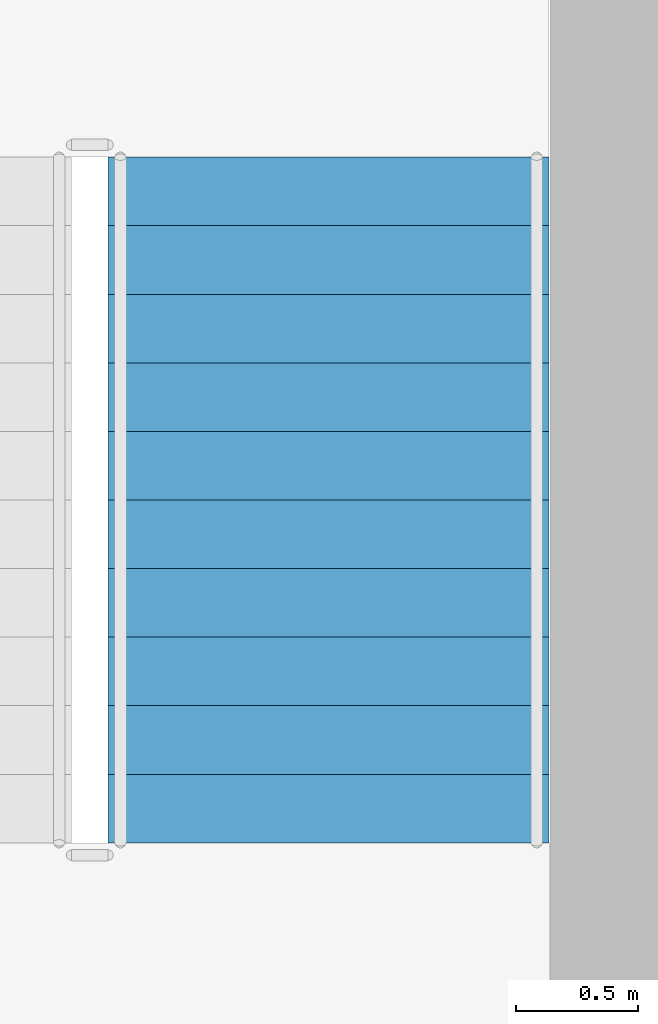
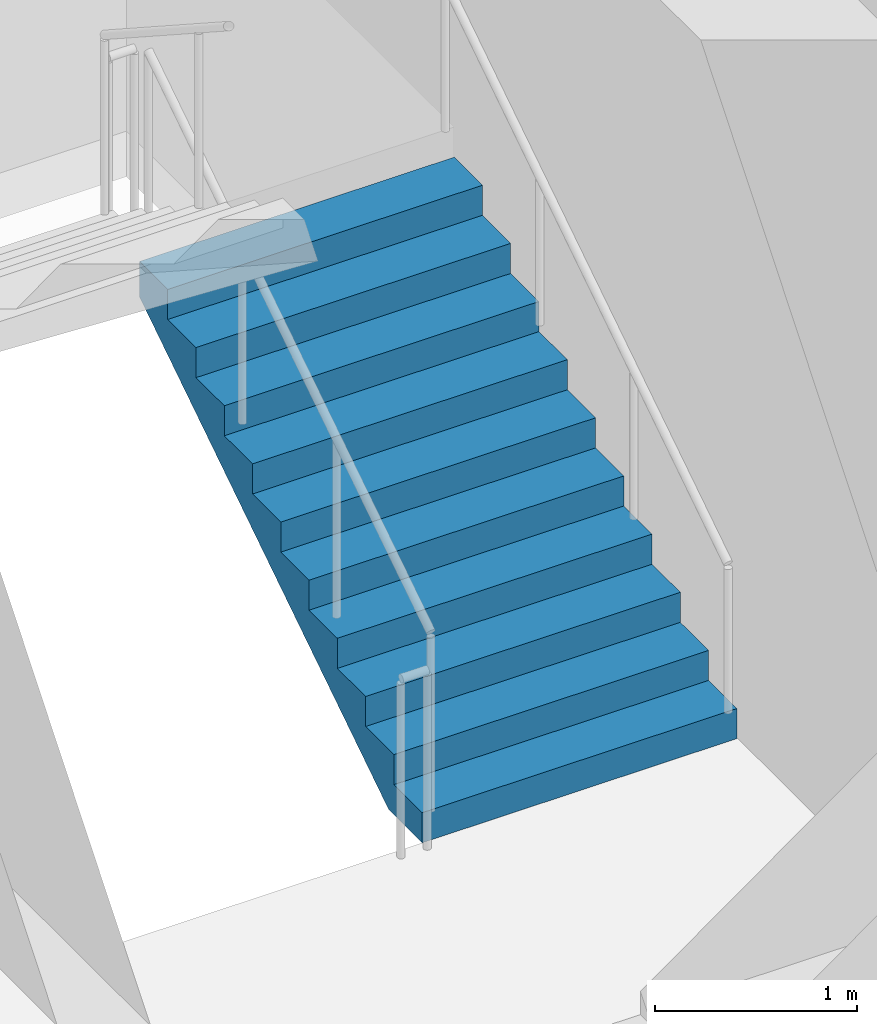
# One storey, part 6 of 8: 1 stair flight, 1 element without a shape of its own.
"""IFC4 building model written with IfcOpenShell, lengths in metres."""

from ifc_helpers import new_model, si_unit, direction, frame, origin, place, context, subcontext, project, spatial, polyline, outline, extrude, material, type_object, element, aggregate, save


model = new_model("IFC4")

# Units and contexts
model_context = context("Model", 3, precision=1e-05, world=origin(), true_north=direction((0.0, 1.0)))
body_context = subcontext(model_context, "Body", "Model", "MODEL_VIEW")
ifc_project = project(units=[si_unit("LENGTHUNIT", "METRE"), si_unit("AREAUNIT", "SQUARE_METRE"), si_unit("VOLUMEUNIT", "CUBIC_METRE"), si_unit("PLANEANGLEUNIT", "RADIAN"), si_unit("MASSUNIT", "GRAM", prefix="KILO")], contexts=[model_context])

# Site, building, storey
site_placement = place(None, origin())
site = spatial("IfcSite", under=ifc_project, at=site_placement, CompositionType="ELEMENT")
building_placement = place(site_placement, origin())
building = spatial("IfcBuilding", under=site, at=building_placement, Name="Sulina Concourse Tower", CompositionType="ELEMENT")
storey_placement = place(building_placement, frame((0.0, 0.0, 100.60009765625)))
storey = spatial("IfcBuildingStorey", under=building, at=storey_placement, Name="L24", CompositionType="ELEMENT", Elevation=100.60009765625)

# Stair, stair flight
ifc_material_1 = material(Name="Concrete C50/60", Category="concrete")
stair_type = type_object("IfcStairType", Name="Portal & Podium Core Exit Stair 1820mm", PredefinedType="HALF_TURN_STAIR", material=ifc_material_1)
stair_placement = place(storey_placement, origin())
stair = element("IfcStair", 1, at=stair_placement, inside=storey, type_object=stair_type, Name="L24 ST-4", PredefinedType="HALF_TURN_STAIR")
ifc_material_2 = material(Name="Concrete C50/60", Category="concrete")
stair_flight_type = type_object("IfcStairFlightType", Name="Portal & Podium Core Exit Stair 1820mm Flight", PredefinedType="STRAIGHT", material=ifc_material_2)
stair_flight_placement = place(storey_placement, frame((53.544921875, 36.375, 0.0), z_axis=(0.0, 0.0, 1.0), x_axis=(0.0, 1.0, 0.0)))
stair_flight = element("IfcStairFlight", 2, at=stair_flight_placement, type_object=stair_flight_type, Name="ST-4 flight 1", NumberOfRisers=11, NumberOfTreads=10, PredefinedType="STRAIGHT", RiserHeight=0.181818182, TreadLength=0.28, context=body_context, shape_type="SweptSolid", body=[
    extrude(outline(polyline([(0.0, 0.0), (0.0, 0.181884765625), (0.280029296875, 0.181884765625), (0.280029296875, 0.363525390625), (0.56005859375, 0.363525390625), (0.56005859375, 0.54541015625), (0.840087890625, 0.54541015625), (0.840087890625, 0.727294921875), (1.1201171875, 0.727294921875), (1.1201171875, 0.9091796875), (1.39990234375, 0.9091796875), (1.39990234375, 1.0908203125), (1.679931640625, 1.0908203125), (1.679931640625, 1.272705078125), (1.9599609375, 1.272705078125), (1.9599609375, 1.45458984375), (2.239990234375, 1.45458984375), (2.239990234375, 1.636474609375), (2.52001953125, 1.636474609375), (2.52001953125, 1.818115234375), (2.800048828125, 1.818115234375), (2.800048828125, 2.0), (2.800048828125, 1.603759765625), (0.330322265625, 0.0), (0.0, 0.0)])), frame((0.0, 0.89990234375, 0.0), z_axis=(0.0, -1.0, 0.0), x_axis=(1.0, 0.0, 0.0)), (0.0, 0.0, 1.0), 1.800048828125),
])
aggregate(stair, [stair_flight])

save(model, "model.ifc")
